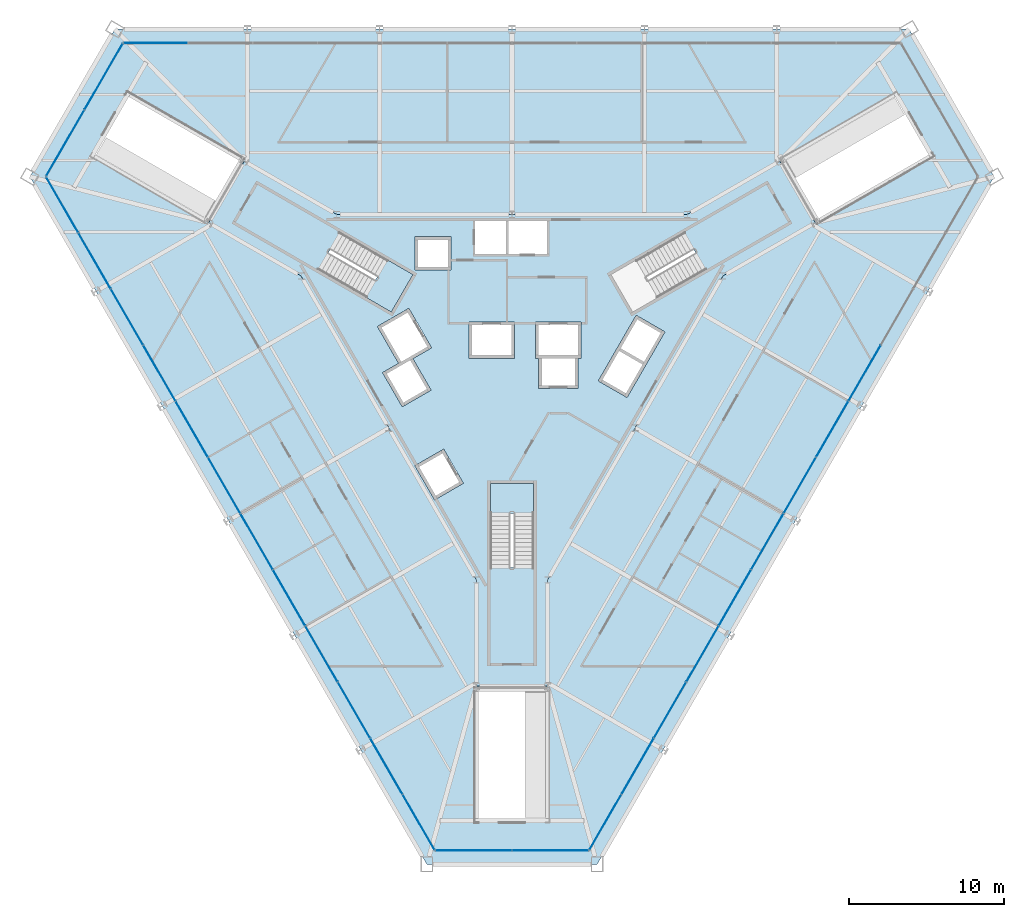
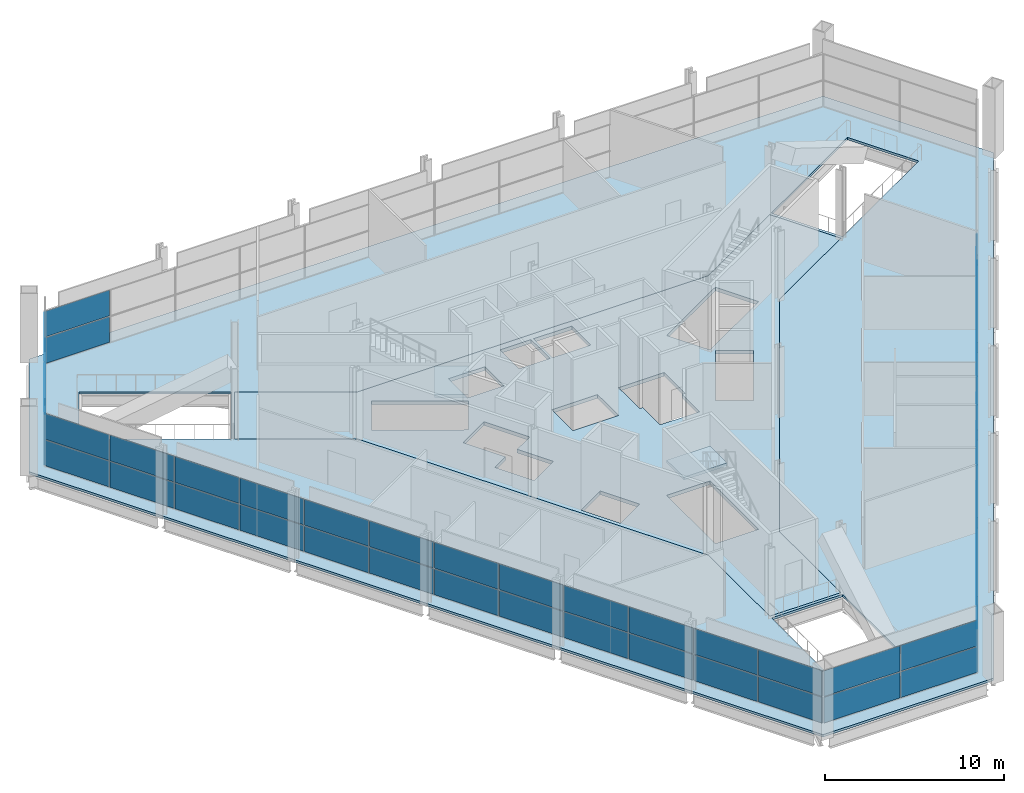
# One storey, part 11 of 18: 52 plates, 4 slabs, 7 elements without a shape of their own.
"""IFC4 building model written with IfcOpenShell, lengths in metres."""

from ifc_helpers import new_model, si_unit, direction, frame, origin, origin_2d, place, context, subcontext, project, spatial, polyline, rectangle, outline, extrude, material, layer, layer_set, type_object, element, aggregate, save


model = new_model("IFC4")

# Units and contexts
model_context = context("Model", 3, precision=1e-05, world=origin(), true_north=direction((0.0, 1.0)))
body_context = subcontext(model_context, "Body", "Model", "MODEL_VIEW")
ifc_project = project(units=[si_unit("LENGTHUNIT", "METRE"), si_unit("AREAUNIT", "SQUARE_METRE"), si_unit("VOLUMEUNIT", "CUBIC_METRE"), si_unit("PLANEANGLEUNIT", "RADIAN"), si_unit("MASSUNIT", "GRAM", prefix="KILO")], contexts=[model_context])

# Site, building, storey
site_placement = place(None, origin())
site = spatial("IfcSite", under=ifc_project, at=site_placement, CompositionType="ELEMENT")
building_placement = place(site_placement, origin())
building = spatial("IfcBuilding", under=site, at=building_placement, Name="Verrane Prism Tower", CompositionType="ELEMENT")
storey_placement = place(building_placement, frame((0.0, 0.0, 27.199951171875)))
storey = spatial("IfcBuildingStorey", under=building, at=storey_placement, Name="L04", CompositionType="ELEMENT", Elevation=27.199951171875)

# Curtain wall, plates
ifc_material_1 = material(Name="Aluminium and glass curtain wall", Category="aluminium")
ifc_layer_1 = layer(ifc_material_1, 0.199951171875)
ifc_layer_set_1 = layer_set([ifc_layer_1], Name="CWB-1 retail curtain wall")
curtain_wall_type = type_object("IfcCurtainWallType", Name="CWB-1 retail curtain wall", PredefinedType="NOTDEFINED", material=ifc_layer_set_1)
curtain_wall_1_placement = place(storey_placement, origin())
curtain_wall_1 = element("IfcCurtainWall", 1, at=curtain_wall_1_placement, inside=storey, type_object=curtain_wall_type, Name="Retail curtain wall L04 2", PredefinedType="NOTDEFINED")
ifc_material_2 = material(Name="Glass double glazed low-e", Category="glass")
ifc_layer_2 = layer(ifc_material_2, 0.028076171875)
ifc_layer_set_2 = layer_set([ifc_layer_2], Name="CWB-P 28 mm low-e glass panel")
plate_type = type_object("IfcPlateType", Name="CWB-P 28 mm low-e glass panel", PredefinedType="CURTAIN_PANEL", material=ifc_layer_set_2)
plate_1_placement = place(storey_placement, frame((-23.037109375, 20.27001953125, 0.06005859375), z_axis=(0.0, 0.0, 1.0), x_axis=(-1.0, 0.0, 0.0)))
plate_1 = element("IfcPlate", 2, at=plate_1_placement, type_object=plate_type, Name="CWB42 panel 12.1", PredefinedType="CURTAIN_PANEL", context=body_context, shape_type="SweptSolid", body=[
    extrude(rectangle(XDim=4.101318359375, YDim=0.028076171875, at=origin_2d()), origin(), (0.0, 0.0, 1.0), 1.7548828125),
])
plate_2_placement = place(storey_placement, frame((-23.037109375, 20.27001953125, 1.875), z_axis=(0.0, 0.0, 1.0), x_axis=(-1.0, 0.0, 0.0)))
plate_2 = element("IfcPlate", 3, at=plate_2_placement, type_object=plate_type, Name="CWB42 panel 12.2", PredefinedType="CURTAIN_PANEL", context=body_context, shape_type="SweptSolid", body=[
    extrude(rectangle(XDim=4.101318359375, YDim=0.028076171875, at=origin_2d()), origin(), (0.0, 0.0, 1.0), 1.7548828125),
])
aggregate(curtain_wall_1, [plate_1, plate_2])

curtain_wall_2_placement = place(storey_placement, origin())
curtain_wall_2 = element("IfcCurtainWall", 4, at=curtain_wall_2_placement, inside=storey, type_object=curtain_wall_type, Name="Retail curtain wall L04 3", PredefinedType="NOTDEFINED")
plate_3_placement = place(storey_placement, frame((-26.400390625, 18.100341796875, 0.06005859375), z_axis=(0.0, 0.0, 1.0), x_axis=(-0.499999190758, -0.866025871, 0.0)))
plate_3 = element("IfcPlate", 5, at=plate_3_placement, type_object=plate_type, Name="CWB43 panel 1.1", PredefinedType="CURTAIN_PANEL", context=body_context, shape_type="SweptSolid", body=[
    extrude(rectangle(XDim=4.890380859375, YDim=0.028076171875, at=origin_2d()), origin(), (0.0, 0.0, 1.0), 1.7548828125),
])
plate_4_placement = place(storey_placement, frame((-26.400390625, 18.100341796875, 1.875), z_axis=(0.0, 0.0, 1.0), x_axis=(-0.499999190758, -0.866025871, 0.0)))
plate_4 = element("IfcPlate", 6, at=plate_4_placement, type_object=plate_type, Name="CWB43 panel 1.2", PredefinedType="CURTAIN_PANEL", context=body_context, shape_type="SweptSolid", body=[
    extrude(rectangle(XDim=4.890380859375, YDim=0.028076171875, at=origin_2d()), origin(), (0.0, 0.0, 1.0), 1.7548828125),
])
plate_5_placement = place(storey_placement, frame((-28.875732421875, 13.813232421875, 0.06005859375), z_axis=(0.0, 0.0, 1.0), x_axis=(-0.499999190758, -0.866025871, 0.0)))
plate_5 = element("IfcPlate", 7, at=plate_5_placement, type_object=plate_type, Name="CWB43 panel 2.1", PredefinedType="CURTAIN_PANEL", context=body_context, shape_type="SweptSolid", body=[
    extrude(rectangle(XDim=4.890380859375, YDim=0.028076171875, at=origin_2d()), origin(), (0.0, 0.0, 1.0), 1.7548828125),
])
plate_6_placement = place(storey_placement, frame((-28.875732421875, 13.813232421875, 1.875), z_axis=(0.0, 0.0, 1.0), x_axis=(-0.499999190758, -0.866025871, 0.0)))
plate_6 = element("IfcPlate", 8, at=plate_6_placement, type_object=plate_type, Name="CWB43 panel 2.2", PredefinedType="CURTAIN_PANEL", context=body_context, shape_type="SweptSolid", body=[
    extrude(rectangle(XDim=4.890380859375, YDim=0.028076171875, at=origin_2d()), origin(), (0.0, 0.0, 1.0), 1.7548828125),
])
aggregate(curtain_wall_2, [plate_3, plate_4, plate_5, plate_6])

curtain_wall_3_placement = place(storey_placement, origin())
curtain_wall_3 = element("IfcCurtainWall", 9, at=curtain_wall_3_placement, inside=storey, type_object=curtain_wall_type, Name="Retail curtain wall L04 4", PredefinedType="NOTDEFINED")
plate_7_placement = place(storey_placement, frame((-29.072998046875, 9.81591796875, 0.06005859375), z_axis=(0.0, 0.0, 1.0), x_axis=(0.50000011897, -0.866025335097, 0.0)))
plate_7 = element("IfcPlate", 10, at=plate_7_placement, type_object=plate_type, Name="CWB44 panel 1.1", PredefinedType="CURTAIN_PANEL", context=body_context, shape_type="SweptSolid", body=[
    extrude(rectangle(XDim=4.101318359375, YDim=0.028076171875, at=origin_2d()), origin(), (0.0, 0.0, 1.0), 1.7548828125),
])
plate_8_placement = place(storey_placement, frame((-29.072998046875, 9.81591796875, 1.875), z_axis=(0.0, 0.0, 1.0), x_axis=(0.50000011897, -0.866025335097, 0.0)))
plate_8 = element("IfcPlate", 11, at=plate_8_placement, type_object=plate_type, Name="CWB44 panel 1.2", PredefinedType="CURTAIN_PANEL", context=body_context, shape_type="SweptSolid", body=[
    extrude(rectangle(XDim=4.101318359375, YDim=0.028076171875, at=origin_2d()), origin(), (0.0, 0.0, 1.0), 1.7548828125),
])
plate_9_placement = place(storey_placement, frame((-26.98486328125, 6.198974609375, 0.06005859375), z_axis=(0.0, 0.0, 1.0), x_axis=(0.50000011897, -0.866025335097, 0.0)))
plate_9 = element("IfcPlate", 12, at=plate_9_placement, type_object=plate_type, Name="CWB44 panel 2.1", PredefinedType="CURTAIN_PANEL", context=body_context, shape_type="SweptSolid", body=[
    extrude(rectangle(XDim=4.13134765625, YDim=0.028076171875, at=origin_2d()), origin(), (0.0, 0.0, 1.0), 1.7548828125),
])
plate_10_placement = place(storey_placement, frame((-26.98486328125, 6.198974609375, 1.875), z_axis=(0.0, 0.0, 1.0), x_axis=(0.50000011897, -0.866025335097, 0.0)))
plate_10 = element("IfcPlate", 13, at=plate_10_placement, type_object=plate_type, Name="CWB44 panel 2.2", PredefinedType="CURTAIN_PANEL", context=body_context, shape_type="SweptSolid", body=[
    extrude(rectangle(XDim=4.13134765625, YDim=0.028076171875, at=origin_2d()), origin(), (0.0, 0.0, 1.0), 1.7548828125),
])
plate_11_placement = place(storey_placement, frame((-24.88916015625, 2.5693359375, 0.06005859375), z_axis=(0.0, 0.0, 1.0), x_axis=(0.50000011897, -0.866025335097, 0.0)))
plate_11 = element("IfcPlate", 14, at=plate_11_placement, type_object=plate_type, Name="CWB44 panel 3.1", PredefinedType="CURTAIN_PANEL", context=body_context, shape_type="SweptSolid", body=[
    extrude(rectangle(XDim=4.13134765625, YDim=0.028076171875, at=origin_2d()), origin(), (0.0, 0.0, 1.0), 1.7548828125),
])
plate_12_placement = place(storey_placement, frame((-24.88916015625, 2.5693359375, 1.875), z_axis=(0.0, 0.0, 1.0), x_axis=(0.50000011897, -0.866025335097, 0.0)))
plate_12 = element("IfcPlate", 15, at=plate_12_placement, type_object=plate_type, Name="CWB44 panel 3.2", PredefinedType="CURTAIN_PANEL", context=body_context, shape_type="SweptSolid", body=[
    extrude(rectangle(XDim=4.13134765625, YDim=0.028076171875, at=origin_2d()), origin(), (0.0, 0.0, 1.0), 1.7548828125),
])
plate_13_placement = place(storey_placement, frame((-22.79345703125, -1.060546875, 0.06005859375), z_axis=(0.0, 0.0, 1.0), x_axis=(0.50000011897, -0.866025335097, 0.0)))
plate_13 = element("IfcPlate", 16, at=plate_13_placement, type_object=plate_type, Name="CWB44 panel 4.1", PredefinedType="CURTAIN_PANEL", context=body_context, shape_type="SweptSolid", body=[
    extrude(rectangle(XDim=4.13134765625, YDim=0.028076171875, at=origin_2d()), origin(), (0.0, 0.0, 1.0), 1.7548828125),
])
plate_14_placement = place(storey_placement, frame((-22.79345703125, -1.060546875, 1.875), z_axis=(0.0, 0.0, 1.0), x_axis=(0.50000011897, -0.866025335097, 0.0)))
plate_14 = element("IfcPlate", 17, at=plate_14_placement, type_object=plate_type, Name="CWB44 panel 4.2", PredefinedType="CURTAIN_PANEL", context=body_context, shape_type="SweptSolid", body=[
    extrude(rectangle(XDim=4.13134765625, YDim=0.028076171875, at=origin_2d()), origin(), (0.0, 0.0, 1.0), 1.7548828125),
])
plate_15_placement = place(storey_placement, frame((-20.69775390625, -4.6904296875, 0.06005859375), z_axis=(0.0, 0.0, 1.0), x_axis=(0.50000011897, -0.866025335097, 0.0)))
plate_15 = element("IfcPlate", 18, at=plate_15_placement, type_object=plate_type, Name="CWB44 panel 5.1", PredefinedType="CURTAIN_PANEL", context=body_context, shape_type="SweptSolid", body=[
    extrude(rectangle(XDim=4.13134765625, YDim=0.028076171875, at=origin_2d()), origin(), (0.0, 0.0, 1.0), 1.7548828125),
])
plate_16_placement = place(storey_placement, frame((-20.69775390625, -4.6904296875, 1.875), z_axis=(0.0, 0.0, 1.0), x_axis=(0.50000011897, -0.866025335097, 0.0)))
plate_16 = element("IfcPlate", 19, at=plate_16_placement, type_object=plate_type, Name="CWB44 panel 5.2", PredefinedType="CURTAIN_PANEL", context=body_context, shape_type="SweptSolid", body=[
    extrude(rectangle(XDim=4.13134765625, YDim=0.028076171875, at=origin_2d()), origin(), (0.0, 0.0, 1.0), 1.7548828125),
])
plate_17_placement = place(storey_placement, frame((-18.60205078125, -8.320068359375, 0.06005859375), z_axis=(0.0, 0.0, 1.0), x_axis=(0.50000011897, -0.866025335097, 0.0)))
plate_17 = element("IfcPlate", 20, at=plate_17_placement, type_object=plate_type, Name="CWB44 panel 6.1", PredefinedType="CURTAIN_PANEL", context=body_context, shape_type="SweptSolid", body=[
    extrude(rectangle(XDim=4.13134765625, YDim=0.028076171875, at=origin_2d()), origin(), (0.0, 0.0, 1.0), 1.7548828125),
])
plate_18_placement = place(storey_placement, frame((-18.60205078125, -8.320068359375, 1.875), z_axis=(0.0, 0.0, 1.0), x_axis=(0.50000011897, -0.866025335097, 0.0)))
plate_18 = element("IfcPlate", 21, at=plate_18_placement, type_object=plate_type, Name="CWB44 panel 6.2", PredefinedType="CURTAIN_PANEL", context=body_context, shape_type="SweptSolid", body=[
    extrude(rectangle(XDim=4.13134765625, YDim=0.028076171875, at=origin_2d()), origin(), (0.0, 0.0, 1.0), 1.7548828125),
])
plate_19_placement = place(storey_placement, frame((-16.506591796875, -11.949951171875, 0.06005859375), z_axis=(0.0, 0.0, 1.0), x_axis=(0.50000011897, -0.866025335097, 0.0)))
plate_19 = element("IfcPlate", 22, at=plate_19_placement, type_object=plate_type, Name="CWB44 panel 7.1", PredefinedType="CURTAIN_PANEL", context=body_context, shape_type="SweptSolid", body=[
    extrude(rectangle(XDim=4.13134765625, YDim=0.028076171875, at=origin_2d()), origin(), (0.0, 0.0, 1.0), 1.7548828125),
])
plate_20_placement = place(storey_placement, frame((-16.506591796875, -11.949951171875, 1.875), z_axis=(0.0, 0.0, 1.0), x_axis=(0.50000011897, -0.866025335097, 0.0)))
plate_20 = element("IfcPlate", 23, at=plate_20_placement, type_object=plate_type, Name="CWB44 panel 7.2", PredefinedType="CURTAIN_PANEL", context=body_context, shape_type="SweptSolid", body=[
    extrude(rectangle(XDim=4.13134765625, YDim=0.028076171875, at=origin_2d()), origin(), (0.0, 0.0, 1.0), 1.7548828125),
])
plate_21_placement = place(storey_placement, frame((-14.410888671875, -15.57958984375, 0.06005859375), z_axis=(0.0, 0.0, 1.0), x_axis=(0.50000011897, -0.866025335097, 0.0)))
plate_21 = element("IfcPlate", 24, at=plate_21_placement, type_object=plate_type, Name="CWB44 panel 8.1", PredefinedType="CURTAIN_PANEL", context=body_context, shape_type="SweptSolid", body=[
    extrude(rectangle(XDim=4.13134765625, YDim=0.028076171875, at=origin_2d()), origin(), (0.0, 0.0, 1.0), 1.7548828125),
])
plate_22_placement = place(storey_placement, frame((-14.410888671875, -15.57958984375, 1.875), z_axis=(0.0, 0.0, 1.0), x_axis=(0.50000011897, -0.866025335097, 0.0)))
plate_22 = element("IfcPlate", 25, at=plate_22_placement, type_object=plate_type, Name="CWB44 panel 8.2", PredefinedType="CURTAIN_PANEL", context=body_context, shape_type="SweptSolid", body=[
    extrude(rectangle(XDim=4.13134765625, YDim=0.028076171875, at=origin_2d()), origin(), (0.0, 0.0, 1.0), 1.7548828125),
])
plate_23_placement = place(storey_placement, frame((-12.315185546875, -19.20947265625, 0.06005859375), z_axis=(0.0, 0.0, 1.0), x_axis=(0.50000011897, -0.866025335097, 0.0)))
plate_23 = element("IfcPlate", 26, at=plate_23_placement, type_object=plate_type, Name="CWB44 panel 9.1", PredefinedType="CURTAIN_PANEL", context=body_context, shape_type="SweptSolid", body=[
    extrude(rectangle(XDim=4.13134765625, YDim=0.028076171875, at=origin_2d()), origin(), (0.0, 0.0, 1.0), 1.7548828125),
])
plate_24_placement = place(storey_placement, frame((-12.315185546875, -19.20947265625, 1.875), z_axis=(0.0, 0.0, 1.0), x_axis=(0.50000011897, -0.866025335097, 0.0)))
plate_24 = element("IfcPlate", 27, at=plate_24_placement, type_object=plate_type, Name="CWB44 panel 9.2", PredefinedType="CURTAIN_PANEL", context=body_context, shape_type="SweptSolid", body=[
    extrude(rectangle(XDim=4.13134765625, YDim=0.028076171875, at=origin_2d()), origin(), (0.0, 0.0, 1.0), 1.7548828125),
])
plate_25_placement = place(storey_placement, frame((-10.219482421875, -22.83935546875, 0.06005859375), z_axis=(0.0, 0.0, 1.0), x_axis=(0.50000011897, -0.866025335097, 0.0)))
plate_25 = element("IfcPlate", 28, at=plate_25_placement, type_object=plate_type, Name="CWB44 panel 10.1", PredefinedType="CURTAIN_PANEL", context=body_context, shape_type="SweptSolid", body=[
    extrude(rectangle(XDim=4.13134765625, YDim=0.028076171875, at=origin_2d()), origin(), (0.0, 0.0, 1.0), 1.7548828125),
])
plate_26_placement = place(storey_placement, frame((-10.219482421875, -22.83935546875, 1.875), z_axis=(0.0, 0.0, 1.0), x_axis=(0.50000011897, -0.866025335097, 0.0)))
plate_26 = element("IfcPlate", 29, at=plate_26_placement, type_object=plate_type, Name="CWB44 panel 10.2", PredefinedType="CURTAIN_PANEL", context=body_context, shape_type="SweptSolid", body=[
    extrude(rectangle(XDim=4.13134765625, YDim=0.028076171875, at=origin_2d()), origin(), (0.0, 0.0, 1.0), 1.7548828125),
])
plate_27_placement = place(storey_placement, frame((-8.123779296875, -26.468994140625, 0.06005859375), z_axis=(0.0, 0.0, 1.0), x_axis=(0.50000011897, -0.866025335097, 0.0)))
plate_27 = element("IfcPlate", 30, at=plate_27_placement, type_object=plate_type, Name="CWB44 panel 11.1", PredefinedType="CURTAIN_PANEL", context=body_context, shape_type="SweptSolid", body=[
    extrude(rectangle(XDim=4.13134765625, YDim=0.028076171875, at=origin_2d()), origin(), (0.0, 0.0, 1.0), 1.7548828125),
])
plate_28_placement = place(storey_placement, frame((-8.123779296875, -26.468994140625, 1.875), z_axis=(0.0, 0.0, 1.0), x_axis=(0.50000011897, -0.866025335097, 0.0)))
plate_28 = element("IfcPlate", 31, at=plate_28_placement, type_object=plate_type, Name="CWB44 panel 11.2", PredefinedType="CURTAIN_PANEL", context=body_context, shape_type="SweptSolid", body=[
    extrude(rectangle(XDim=4.13134765625, YDim=0.028076171875, at=origin_2d()), origin(), (0.0, 0.0, 1.0), 1.7548828125),
])
plate_29_placement = place(storey_placement, frame((-6.03564453125, -30.0859375, 0.06005859375), z_axis=(0.0, 0.0, 1.0), x_axis=(0.50000011897, -0.866025335097, 0.0)))
plate_29 = element("IfcPlate", 32, at=plate_29_placement, type_object=plate_type, Name="CWB44 panel 12.1", PredefinedType="CURTAIN_PANEL", context=body_context, shape_type="SweptSolid", body=[
    extrude(rectangle(XDim=4.101318359375, YDim=0.028076171875, at=origin_2d()), origin(), (0.0, 0.0, 1.0), 1.7548828125),
])
plate_30_placement = place(storey_placement, frame((-6.03564453125, -30.0859375, 1.875), z_axis=(0.0, 0.0, 1.0), x_axis=(0.50000011897, -0.866025335097, 0.0)))
plate_30 = element("IfcPlate", 33, at=plate_30_placement, type_object=plate_type, Name="CWB44 panel 12.2", PredefinedType="CURTAIN_PANEL", context=body_context, shape_type="SweptSolid", body=[
    extrude(rectangle(XDim=4.101318359375, YDim=0.028076171875, at=origin_2d()), origin(), (0.0, 0.0, 1.0), 1.7548828125),
])
aggregate(curtain_wall_3, [plate_7, plate_8, plate_9, plate_10, plate_11, plate_12, plate_13, plate_14, plate_15, plate_16, plate_17, plate_18, plate_19, plate_20, plate_21, plate_22, plate_23, plate_24, plate_25, plate_26, plate_27, plate_28, plate_29, plate_30])

curtain_wall_4_placement = place(storey_placement, origin())
curtain_wall_4 = element("IfcCurtainWall", 34, at=curtain_wall_4_placement, inside=storey, type_object=curtain_wall_type, Name="Retail curtain wall L04 5", PredefinedType="NOTDEFINED")
plate_31_placement = place(storey_placement, frame((-2.47509765625, -31.913818359375, 0.06005859375), z_axis=(0.0, 0.0, 1.0), x_axis=(1.0, 0.0, 0.0)))
plate_31 = element("IfcPlate", 35, at=plate_31_placement, type_object=plate_type, Name="CWB45 panel 1.1", PredefinedType="CURTAIN_PANEL", context=body_context, shape_type="SweptSolid", body=[
    extrude(rectangle(XDim=4.890380859375, YDim=0.028076171875, at=origin_2d()), origin(), (0.0, 0.0, 1.0), 1.7548828125),
])
plate_32_placement = place(storey_placement, frame((-2.47509765625, -31.913818359375, 1.875), z_axis=(0.0, 0.0, 1.0), x_axis=(1.0, 0.0, 0.0)))
plate_32 = element("IfcPlate", 36, at=plate_32_placement, type_object=plate_type, Name="CWB45 panel 1.2", PredefinedType="CURTAIN_PANEL", context=body_context, shape_type="SweptSolid", body=[
    extrude(rectangle(XDim=4.890380859375, YDim=0.028076171875, at=origin_2d()), origin(), (0.0, 0.0, 1.0), 1.7548828125),
])
plate_33_placement = place(storey_placement, frame((2.47509765625, -31.913818359375, 0.06005859375), z_axis=(0.0, 0.0, 1.0), x_axis=(1.0, 0.0, 0.0)))
plate_33 = element("IfcPlate", 37, at=plate_33_placement, type_object=plate_type, Name="CWB45 panel 2.1", PredefinedType="CURTAIN_PANEL", context=body_context, shape_type="SweptSolid", body=[
    extrude(rectangle(XDim=4.890380859375, YDim=0.028076171875, at=origin_2d()), origin(), (0.0, 0.0, 1.0), 1.7548828125),
])
plate_34_placement = place(storey_placement, frame((2.47509765625, -31.913818359375, 1.875), z_axis=(0.0, 0.0, 1.0), x_axis=(1.0, 0.0, 0.0)))
plate_34 = element("IfcPlate", 38, at=plate_34_placement, type_object=plate_type, Name="CWB45 panel 2.2", PredefinedType="CURTAIN_PANEL", context=body_context, shape_type="SweptSolid", body=[
    extrude(rectangle(XDim=4.890380859375, YDim=0.028076171875, at=origin_2d()), origin(), (0.0, 0.0, 1.0), 1.7548828125),
])
aggregate(curtain_wall_4, [plate_31, plate_32, plate_33, plate_34])

curtain_wall_5_placement = place(storey_placement, origin())
curtain_wall_5 = element("IfcCurtainWall", 39, at=curtain_wall_5_placement, inside=storey, type_object=curtain_wall_type, Name="Retail curtain wall L04 6", PredefinedType="NOTDEFINED")
plate_35_placement = place(storey_placement, frame((6.03564453125, -30.0859375, 0.06005859375), z_axis=(0.0, 0.0, 1.0), x_axis=(0.50000011897, 0.866025335097, 0.0)))
plate_35 = element("IfcPlate", 40, at=plate_35_placement, type_object=plate_type, Name="CWB46 panel 1.1", PredefinedType="CURTAIN_PANEL", context=body_context, shape_type="SweptSolid", body=[
    extrude(rectangle(XDim=4.101318359375, YDim=0.028076171875, at=origin_2d()), origin(), (0.0, 0.0, 1.0), 1.7548828125),
])
plate_36_placement = place(storey_placement, frame((6.03564453125, -30.0859375, 1.875), z_axis=(0.0, 0.0, 1.0), x_axis=(0.50000011897, 0.866025335097, 0.0)))
plate_36 = element("IfcPlate", 41, at=plate_36_placement, type_object=plate_type, Name="CWB46 panel 1.2", PredefinedType="CURTAIN_PANEL", context=body_context, shape_type="SweptSolid", body=[
    extrude(rectangle(XDim=4.101318359375, YDim=0.028076171875, at=origin_2d()), origin(), (0.0, 0.0, 1.0), 1.7548828125),
])
plate_37_placement = place(storey_placement, frame((8.123779296875, -26.468994140625, 0.06005859375), z_axis=(0.0, 0.0, 1.0), x_axis=(0.50000011897, 0.866025335097, 0.0)))
plate_37 = element("IfcPlate", 42, at=plate_37_placement, type_object=plate_type, Name="CWB46 panel 2.1", PredefinedType="CURTAIN_PANEL", context=body_context, shape_type="SweptSolid", body=[
    extrude(rectangle(XDim=4.13134765625, YDim=0.028076171875, at=origin_2d()), origin(), (0.0, 0.0, 1.0), 1.7548828125),
])
plate_38_placement = place(storey_placement, frame((8.123779296875, -26.468994140625, 1.875), z_axis=(0.0, 0.0, 1.0), x_axis=(0.50000011897, 0.866025335097, 0.0)))
plate_38 = element("IfcPlate", 43, at=plate_38_placement, type_object=plate_type, Name="CWB46 panel 2.2", PredefinedType="CURTAIN_PANEL", context=body_context, shape_type="SweptSolid", body=[
    extrude(rectangle(XDim=4.13134765625, YDim=0.028076171875, at=origin_2d()), origin(), (0.0, 0.0, 1.0), 1.7548828125),
])
plate_39_placement = place(storey_placement, frame((10.219482421875, -22.83935546875, 0.06005859375), z_axis=(0.0, 0.0, 1.0), x_axis=(0.50000011897, 0.866025335097, 0.0)))
plate_39 = element("IfcPlate", 44, at=plate_39_placement, type_object=plate_type, Name="CWB46 panel 3.1", PredefinedType="CURTAIN_PANEL", context=body_context, shape_type="SweptSolid", body=[
    extrude(rectangle(XDim=4.13134765625, YDim=0.028076171875, at=origin_2d()), origin(), (0.0, 0.0, 1.0), 1.7548828125),
])
plate_40_placement = place(storey_placement, frame((10.219482421875, -22.83935546875, 1.875), z_axis=(0.0, 0.0, 1.0), x_axis=(0.50000011897, 0.866025335097, 0.0)))
plate_40 = element("IfcPlate", 45, at=plate_40_placement, type_object=plate_type, Name="CWB46 panel 3.2", PredefinedType="CURTAIN_PANEL", context=body_context, shape_type="SweptSolid", body=[
    extrude(rectangle(XDim=4.13134765625, YDim=0.028076171875, at=origin_2d()), origin(), (0.0, 0.0, 1.0), 1.7548828125),
])
plate_41_placement = place(storey_placement, frame((12.315185546875, -19.20947265625, 0.06005859375), z_axis=(0.0, 0.0, 1.0), x_axis=(0.50000011897, 0.866025335097, 0.0)))
plate_41 = element("IfcPlate", 46, at=plate_41_placement, type_object=plate_type, Name="CWB46 panel 4.1", PredefinedType="CURTAIN_PANEL", context=body_context, shape_type="SweptSolid", body=[
    extrude(rectangle(XDim=4.13134765625, YDim=0.028076171875, at=origin_2d()), origin(), (0.0, 0.0, 1.0), 1.7548828125),
])
plate_42_placement = place(storey_placement, frame((12.315185546875, -19.20947265625, 1.875), z_axis=(0.0, 0.0, 1.0), x_axis=(0.50000011897, 0.866025335097, 0.0)))
plate_42 = element("IfcPlate", 47, at=plate_42_placement, type_object=plate_type, Name="CWB46 panel 4.2", PredefinedType="CURTAIN_PANEL", context=body_context, shape_type="SweptSolid", body=[
    extrude(rectangle(XDim=4.13134765625, YDim=0.028076171875, at=origin_2d()), origin(), (0.0, 0.0, 1.0), 1.7548828125),
])
plate_43_placement = place(storey_placement, frame((14.410888671875, -15.57958984375, 0.06005859375), z_axis=(0.0, 0.0, 1.0), x_axis=(0.50000011897, 0.866025335097, 0.0)))
plate_43 = element("IfcPlate", 48, at=plate_43_placement, type_object=plate_type, Name="CWB46 panel 5.1", PredefinedType="CURTAIN_PANEL", context=body_context, shape_type="SweptSolid", body=[
    extrude(rectangle(XDim=4.13134765625, YDim=0.028076171875, at=origin_2d()), origin(), (0.0, 0.0, 1.0), 1.7548828125),
])
plate_44_placement = place(storey_placement, frame((14.410888671875, -15.57958984375, 1.875), z_axis=(0.0, 0.0, 1.0), x_axis=(0.50000011897, 0.866025335097, 0.0)))
plate_44 = element("IfcPlate", 49, at=plate_44_placement, type_object=plate_type, Name="CWB46 panel 5.2", PredefinedType="CURTAIN_PANEL", context=body_context, shape_type="SweptSolid", body=[
    extrude(rectangle(XDim=4.13134765625, YDim=0.028076171875, at=origin_2d()), origin(), (0.0, 0.0, 1.0), 1.7548828125),
])
plate_45_placement = place(storey_placement, frame((16.506591796875, -11.949951171875, 0.06005859375), z_axis=(0.0, 0.0, 1.0), x_axis=(0.50000011897, 0.866025335097, 0.0)))
plate_45 = element("IfcPlate", 50, at=plate_45_placement, type_object=plate_type, Name="CWB46 panel 6.1", PredefinedType="CURTAIN_PANEL", context=body_context, shape_type="SweptSolid", body=[
    extrude(rectangle(XDim=4.13134765625, YDim=0.028076171875, at=origin_2d()), origin(), (0.0, 0.0, 1.0), 1.7548828125),
])
plate_46_placement = place(storey_placement, frame((16.506591796875, -11.949951171875, 1.875), z_axis=(0.0, 0.0, 1.0), x_axis=(0.50000011897, 0.866025335097, 0.0)))
plate_46 = element("IfcPlate", 51, at=plate_46_placement, type_object=plate_type, Name="CWB46 panel 6.2", PredefinedType="CURTAIN_PANEL", context=body_context, shape_type="SweptSolid", body=[
    extrude(rectangle(XDim=4.13134765625, YDim=0.028076171875, at=origin_2d()), origin(), (0.0, 0.0, 1.0), 1.7548828125),
])
plate_47_placement = place(storey_placement, frame((18.60205078125, -8.320068359375, 0.06005859375), z_axis=(0.0, 0.0, 1.0), x_axis=(0.50000011897, 0.866025335097, 0.0)))
plate_47 = element("IfcPlate", 52, at=plate_47_placement, type_object=plate_type, Name="CWB46 panel 7.1", PredefinedType="CURTAIN_PANEL", context=body_context, shape_type="SweptSolid", body=[
    extrude(rectangle(XDim=4.13134765625, YDim=0.028076171875, at=origin_2d()), origin(), (0.0, 0.0, 1.0), 1.7548828125),
])
plate_48_placement = place(storey_placement, frame((18.60205078125, -8.320068359375, 1.875), z_axis=(0.0, 0.0, 1.0), x_axis=(0.50000011897, 0.866025335097, 0.0)))
plate_48 = element("IfcPlate", 53, at=plate_48_placement, type_object=plate_type, Name="CWB46 panel 7.2", PredefinedType="CURTAIN_PANEL", context=body_context, shape_type="SweptSolid", body=[
    extrude(rectangle(XDim=4.13134765625, YDim=0.028076171875, at=origin_2d()), origin(), (0.0, 0.0, 1.0), 1.7548828125),
])
plate_49_placement = place(storey_placement, frame((20.69775390625, -4.6904296875, 0.06005859375), z_axis=(0.0, 0.0, 1.0), x_axis=(0.50000011897, 0.866025335097, 0.0)))
plate_49 = element("IfcPlate", 54, at=plate_49_placement, type_object=plate_type, Name="CWB46 panel 8.1", PredefinedType="CURTAIN_PANEL", context=body_context, shape_type="SweptSolid", body=[
    extrude(rectangle(XDim=4.13134765625, YDim=0.028076171875, at=origin_2d()), origin(), (0.0, 0.0, 1.0), 1.7548828125),
])
plate_50_placement = place(storey_placement, frame((20.69775390625, -4.6904296875, 1.875), z_axis=(0.0, 0.0, 1.0), x_axis=(0.50000011897, 0.866025335097, 0.0)))
plate_50 = element("IfcPlate", 55, at=plate_50_placement, type_object=plate_type, Name="CWB46 panel 8.2", PredefinedType="CURTAIN_PANEL", context=body_context, shape_type="SweptSolid", body=[
    extrude(rectangle(XDim=4.13134765625, YDim=0.028076171875, at=origin_2d()), origin(), (0.0, 0.0, 1.0), 1.7548828125),
])
plate_51_placement = place(storey_placement, frame((22.79345703125, -1.060546875, 0.06005859375), z_axis=(0.0, 0.0, 1.0), x_axis=(0.50000011897, 0.866025335097, 0.0)))
plate_51 = element("IfcPlate", 56, at=plate_51_placement, type_object=plate_type, Name="CWB46 panel 9.1", PredefinedType="CURTAIN_PANEL", context=body_context, shape_type="SweptSolid", body=[
    extrude(rectangle(XDim=4.13134765625, YDim=0.028076171875, at=origin_2d()), origin(), (0.0, 0.0, 1.0), 1.7548828125),
])
plate_52_placement = place(storey_placement, frame((22.79345703125, -1.060546875, 1.875), z_axis=(0.0, 0.0, 1.0), x_axis=(0.50000011897, 0.866025335097, 0.0)))
plate_52 = element("IfcPlate", 57, at=plate_52_placement, type_object=plate_type, Name="CWB46 panel 9.2", PredefinedType="CURTAIN_PANEL", context=body_context, shape_type="SweptSolid", body=[
    extrude(rectangle(XDim=4.13134765625, YDim=0.028076171875, at=origin_2d()), origin(), (0.0, 0.0, 1.0), 1.7548828125),
])
aggregate(curtain_wall_5, [plate_35, plate_36, plate_37, plate_38, plate_39, plate_40, plate_41, plate_42, plate_43, plate_44, plate_45, plate_46, plate_47, plate_48, plate_49, plate_50, plate_51, plate_52])

# Slabs
ifc_material_3 = material(Name="Concrete C35/45", Category="concrete")
ifc_layer_3 = layer(ifc_material_3, 0.159912109375)
ifc_layer_set_3 = layer_set([ifc_layer_3], Name="Composite floor slab")
slab_type_1 = type_object("IfcSlabType", Name="Composite floor slab", PredefinedType="FLOOR", material=ifc_layer_set_3)
slab_1_placement = place(storey_placement, frame((0.0, 0.0, -0.159912109375)))
element("IfcSlab", 58, at=slab_1_placement, inside=storey, type_object=slab_type_1, Name="Floor slab L04", PredefinedType="FLOOR", context=body_context, shape_type="SweptSolid", body=[
    extrude(outline(polyline([(-25.66748046875, 21.169921875), (25.66748046875, 21.169921875), (31.16748046875, 11.643798828125), (5.5, -32.813720703125), (-5.5, -32.813720703125), (-31.16748046875, 11.643798828125), (-25.66748046875, 21.169921875)]), holes=[polyline([(0.0, 9.199951171875), (-11.330078125, 9.199951171875), (-17.300048828125, 12.639892578125), (-19.60009765625, 8.659912109375), (-13.6298828125, 5.219970703125), (-7.969970703125, -4.60009765625), (-2.300048828125, -14.419921875), (-2.300048828125, -21.300048828125), (2.300048828125, -21.300048828125), (2.300048828125, -14.419921875), (7.969970703125, -4.60009765625), (13.6298828125, 5.219970703125), (19.60009765625, 8.659912109375), (17.300048828125, 12.639892578125), (11.330078125, 9.199951171875), (0.0, 9.199951171875)]), polyline([(17.4609375, 12.73681640625), (19.760986328125, 8.753173828125), (27.130859375, 13.008056640625), (24.830810546875, 16.991943359375), (17.4609375, 12.73681640625)]), polyline([(-27.130859375, 13.008056640625), (-19.760986328125, 8.753173828125), (-17.4609375, 12.73681640625), (-24.830810546875, 16.991943359375), (-27.130859375, 13.008056640625)]), polyline([(-2.300048828125, -30.0), (2.300048828125, -30.0), (2.300048828125, -21.489990234375), (-2.300048828125, -21.489990234375), (-2.300048828125, -30.0)])]), origin(), (0.0, 0.0, 1.0), 0.159912109375),
])
ifc_material_4 = material(Name="Concrete C40/50", Category="concrete")
ifc_layer_4 = layer(ifc_material_4, 0.25)
ifc_layer_set_4 = layer_set([ifc_layer_4], Name="Core floor slab 250 concrete C40/50")
slab_type_2 = type_object("IfcSlabType", Name="Core floor slab 250 concrete C40/50", PredefinedType="FLOOR", material=ifc_layer_set_4)
slab_2_placement = place(storey_placement, frame((0.0, 0.0, -0.25)))
element("IfcSlab", 59, at=slab_2_placement, inside=storey, type_object=slab_type_2, Name="Core floor L04", PredefinedType="FLOOR", context=body_context, shape_type="SweptSolid", body=[
    extrude(outline(polyline([(13.6298828125, 5.219970703125), (19.60009765625, 8.659912109375), (17.300048828125, 12.639892578125), (11.330078125, 9.199951171875), (0.0, 9.199951171875), (-11.330078125, 9.199951171875), (-17.300048828125, 12.639892578125), (-19.60009765625, 8.659912109375), (-13.6298828125, 5.219970703125), (-7.969970703125, -4.60009765625), (-2.300048828125, -14.419921875), (-2.300048828125, -21.300048828125), (2.300048828125, -21.300048828125), (2.300048828125, -14.419921875), (7.969970703125, -4.60009765625), (13.6298828125, 5.219970703125)]), holes=[polyline([(-3.139892578125, -8.180908203125), (-5.001953125, -9.256103515625), (-6.277099609375, -7.048095703125), (-4.4150390625, -5.972900390625), (-3.139892578125, -8.180908203125)]), polyline([(0.1650390625, 2.25), (0.1650390625, -0.10009765625), (-2.784912109375, -0.10009765625), (-2.784912109375, 2.25), (0.1650390625, 2.25)]), polyline([(-7.801025390625, 2.887939453125), (-12.512939453125, 5.60791015625), (-11.113037109375, 8.031982421875), (-6.40087890625, 5.31201171875), (-7.801025390625, 2.887939453125)]), polyline([(-6.284912109375, 5.610107421875), (-6.284912109375, 7.760009765625), (-3.93505859375, 7.760009765625), (-3.93505859375, 5.610107421875), (-6.284912109375, 5.610107421875)]), polyline([(-2.385009765625, 6.635009765625), (-2.385009765625, 8.760009765625), (-0.375, 8.760009765625), (-0.375, 6.635009765625), (-2.385009765625, 6.635009765625)]), polyline([(1.39990234375, -8.199951171875), (1.39990234375, -13.639892578125), (-1.39990234375, -13.639892578125), (-1.39990234375, -8.199951171875), (1.39990234375, -8.199951171875)]), polyline([(4.27490234375, -2.050048828125), (1.72509765625, -2.050048828125), (1.72509765625, -0.10009765625), (1.52490234375, -0.10009765625), (1.52490234375, 2.25), (4.47509765625, 2.25), (4.47509765625, -0.10009765625), (4.27490234375, -0.10009765625), (4.27490234375, -2.050048828125)]), polyline([(9.887939453125, 1.60595703125), (7.43798828125, -2.636962890625), (5.575927734375, -1.56201171875), (8.02587890625, 2.680908203125), (9.887939453125, 1.60595703125)]), polyline([(11.113037109375, 8.031982421875), (12.512939453125, 5.60791015625), (7.801025390625, 2.887939453125), (6.40087890625, 5.31201171875), (11.113037109375, 8.031982421875)]), polyline([(-0.22509765625, 8.760009765625), (2.264892578125, 8.760009765625), (2.264892578125, 6.635009765625), (-0.22509765625, 6.635009765625), (-0.22509765625, 8.760009765625)]), polyline([(-5.23095703125, -2.159912109375), (-7.093017578125, -3.235107421875), (-8.367919921875, -1.02587890625), (-7.3291015625, -0.426025390625), (-8.7041015625, 1.955078125), (-6.66796875, 3.1298828125), (-5.193115234375, 0.574951171875), (-6.406005859375, -0.125), (-5.23095703125, -2.159912109375)])]), origin(), (0.0, 0.0, 1.0), 0.25),
])

# Stair, slab
ifc_material_5 = material(Name="Concrete C40/50", Category="concrete")
stair_type = type_object("IfcStairType", Name="Exit stair 1300 dog-leg precast concrete C40/50", PredefinedType="HALF_TURN_STAIR", material=ifc_material_5)
stair_1_placement = place(storey_placement, origin())
stair_1 = element("IfcStair", 60, at=stair_1_placement, inside=storey, type_object=stair_type, Name="Stair 2 L04", PredefinedType="HALF_TURN_STAIR")
ifc_material_6 = material(Name="Concrete C40/50", Category="concrete")
ifc_layer_5 = layer(ifc_material_6, 0.199951171875)
ifc_layer_set_5 = layer_set([ifc_layer_5], Name="Stair landing 200 precast concrete C40/50")
slab_type_3 = type_object("IfcSlabType", Name="Stair landing 200 precast concrete C40/50", PredefinedType="LANDING", material=ifc_layer_set_5)
slab_3_placement = place(storey_placement, frame((0.0, 0.0, 2.199951171875)))
slab_3 = element("IfcSlab", 61, at=slab_3_placement, type_object=slab_type_3, Name="Stair 2 landing 1", PredefinedType="LANDING", context=body_context, shape_type="SweptSolid", body=[
    extrude(outline(polyline([(-9.464111328125, 3.84765625), (-7.801513671875, 2.887451171875), (-6.4013671875, 5.3125), (-8.064208984375, 6.2724609375), (-9.464111328125, 3.84765625)])), origin(), (0.0, 0.0, 1.0), 0.2001953125),
])
aggregate(stair_1, [slab_3])

stair_2_placement = place(storey_placement, origin())
stair_2 = element("IfcStair", 62, at=stair_2_placement, inside=storey, type_object=stair_type, Name="Stair 3 L04", PredefinedType="HALF_TURN_STAIR")
slab_4_placement = place(storey_placement, frame((0.0, 0.0, 2.199951171875)))
slab_4 = element("IfcSlab", 63, at=slab_4_placement, type_object=slab_type_3, Name="Stair 3 landing 1", PredefinedType="LANDING", context=body_context, shape_type="SweptSolid", body=[
    extrude(outline(polyline([(1.39990234375, -10.1201171875), (1.39990234375, -8.199951171875), (-1.39990234375, -8.199951171875), (-1.39990234375, -10.1201171875), (1.39990234375, -10.1201171875)])), origin(), (0.0, 0.0, 1.0), 0.2001953125),
])
aggregate(stair_2, [slab_4])

save(model, "model.ifc")
